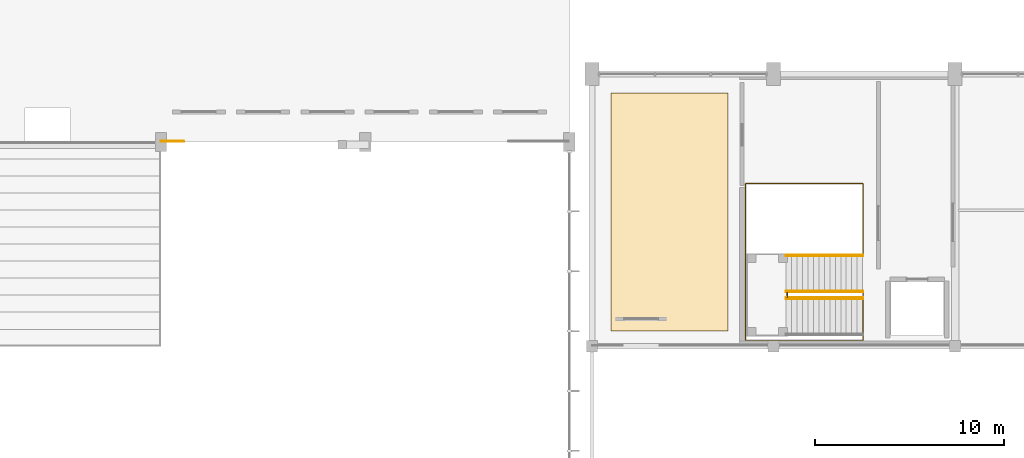
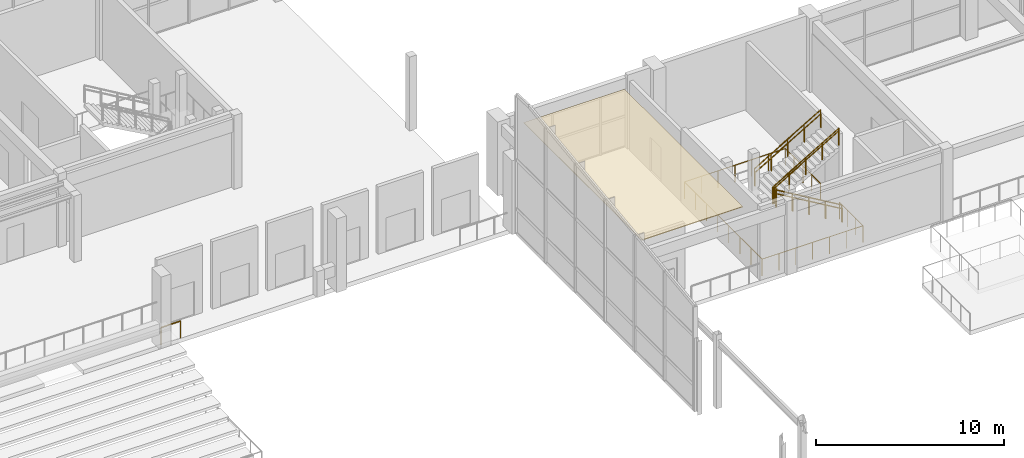
# One storey, part 72 of 74: 9 railings, 1 covering.
"""IFC4 building model written with IfcOpenShell, lengths in metres."""

from ifc_helpers import new_model, si_unit, direction, frame, origin, origin_2d, place, context, subcontext, project, spatial, polyline, circle, outline, extrude, material, layer, layer_set, type_object, element, save


model = new_model("IFC4")

# Units and contexts
model_context = context("Model", 3, precision=1e-05, world=origin(), true_north=direction((0.0, 1.0)))
body_context = subcontext(model_context, "Body", "Model", "MODEL_VIEW")
ifc_project = project(units=[si_unit("LENGTHUNIT", "METRE"), si_unit("AREAUNIT", "SQUARE_METRE"), si_unit("VOLUMEUNIT", "CUBIC_METRE"), si_unit("PLANEANGLEUNIT", "RADIAN"), si_unit("MASSUNIT", "GRAM", prefix="KILO")], contexts=[model_context])

# Site, building, storey
site_placement = place(None, origin())
site = spatial("IfcSite", under=ifc_project, at=site_placement, CompositionType="ELEMENT")
building_placement = place(site_placement, origin())
building = spatial("IfcBuilding", under=site, at=building_placement, Name="Suirenkawa Promenade Aquatics Centre", CompositionType="ELEMENT")
storey_placement = place(building_placement, frame((0.0, 0.0, 4.800048828125)))
storey = spatial("IfcBuildingStorey", under=building, at=storey_placement, Name="L01", CompositionType="ELEMENT", Elevation=4.800048828125)

# Covering
ifc_material_1 = material(Name="Anodised aluminium 6063-T6", Category="aluminium")
ifc_layer = layer(ifc_material_1, 0.044921875, Name="Anodised aluminium 6063-T6", Category="aluminium")
ifc_layer_set = layer_set([ifc_layer], Name="Anodised aluminium 6063-T6")
covering_type = type_object("IfcCoveringType", Name="CVT-BAFFLE-CEIL", PredefinedType="CEILING", material=ifc_layer_set)
covering_placement = place(storey_placement, frame((0.0, 0.0, 4.5048828125)))
element("IfcCovering", 1, at=covering_placement, inside=storey, type_object=covering_type, Name="Acoustic baffle ceiling CLG-01 CLG-005", PredefinedType="CEILING", context=body_context, shape_type="SweptSolid", body=[
    extrude(outline(polyline([(157.0, 87.199951171875), (163.199951171875, 87.199951171875), (163.199951171875, 99.800048828125), (157.0, 99.800048828125), (157.0, 87.199951171875)])), origin(), (0.0, 0.0, 1.0), 0.045166015625),
])

# Railings
ifc_material_2 = material(Name="Marine-grade stainless steel Grade 316L", Category="steel")
railing_type_1 = type_object("IfcRailingType", Name="RLT-BALUSTRADE-1120", PredefinedType="BALUSTRADE", material=ifc_material_2)
railing_1_placement = place(storey_placement, frame((133.199951171875, 97.239990234375, 0.0)))
element("IfcRailing", 2, at=railing_1_placement, inside=storey, type_object=railing_type_1, Name="Balustrade BAL-01 RL-0398", PredefinedType="BALUSTRADE", context=body_context, shape_type="SweptSolid", body=[
    extrude(circle(Radius=0.02392578125, at=origin_2d()), frame((0.0, 0.0, 1.09619140625), z_axis=(1.0, 0.0, 0.0), x_axis=(0.0, 1.0, 0.0)), (0.0, 0.0, 1.0), 1.199951171875),
    extrude(circle(Radius=0.02099609375, at=origin_2d()), origin(), (0.0, 0.0, 1.0), 1.072021484375),
    extrude(circle(Radius=0.02099609375, at=origin_2d()), frame((1.199951171875, 0.0, 0.0)), (0.0, 0.0, 1.0), 1.072021484375),
])
railing_type_2 = type_object("IfcRailingType", Name="RLT-GUARD-1120", PredefinedType="GUARDRAIL", material=ifc_material_2)
railing_2_placement = place(storey_placement, frame((170.31494140625, 88.9599609375, 0.0)))
element("IfcRailing", 3, at=railing_2_placement, inside=storey, type_object=railing_type_2, Name="Guardrail GRD-01 RL-0161", PredefinedType="GUARDRAIL", context=body_context, shape_type="SweptSolid", body=[
    extrude(circle(Radius=0.02392578125, at=origin_2d()), frame((0.0, 0.0, 1.09619140625), z_axis=(-0.8608543813, 0.0, 0.508851387142), x_axis=(0.0, -1.0, 0.0)), (0.0, 0.0, 1.0), 4.71630859375),
    extrude(circle(Radius=0.02099609375, at=origin_2d()), origin(), (0.0, 0.0, 1.0), 1.072021484375),
    extrude(circle(Radius=0.02099609375, at=origin_2d()), frame((-1.01513671875, 0.0, 0.60009765625)), (0.0, 0.0, 1.0), 1.072021484375),
    extrude(circle(Radius=0.02099609375, at=origin_2d()), frame((-2.030029296875, 0.0, 1.199951171875)), (0.0, 0.0, 1.0), 1.072021484375),
    extrude(circle(Radius=0.02099609375, at=origin_2d()), frame((-3.044921875, 0.0, 1.7998046875)), (0.0, 0.0, 1.0), 1.072021484375),
    extrude(circle(Radius=0.02099609375, at=origin_2d()), frame((-4.06005859375, 0.0, 2.39990234375)), (0.0, 0.0, 1.0), 1.072021484375),
])
for number, where, name in (
    (4, (166.2548828125, 89.27001953125, 2.39990234375), "Guardrail GRD-01 RL-0165"),
    (5, (166.2548828125, 91.22998046875, 2.39990234375), "Guardrail GRD-01 RL-0167"),
):
    element("IfcRailing", number, at=place(storey_placement, frame(where)), inside=storey, type_object=railing_type_2, Name=name, PredefinedType="GUARDRAIL", context=body_context, shape_type="SweptSolid", body=[
        extrude(circle(Radius=0.02392578125, at=origin_2d()), frame((0.0, 0.0, 1.09619140625), z_axis=(0.860831705478, 0.0, 0.508889747237), x_axis=(0.0, 1.0, 0.0)), (0.0, 0.0, 1.0), 4.716552734375),
        extrude(circle(Radius=0.02099609375, at=origin_2d()), origin(), (0.0, 0.0, 1.0), 1.072021484375),
        extrude(circle(Radius=0.02099609375, at=origin_2d()), frame((1.01513671875, 0.0, 0.60009765625)), (0.0, 0.0, 1.0), 1.072021484375),
        extrude(circle(Radius=0.02099609375, at=origin_2d()), frame((2.030029296875, 0.0, 1.2001953125)), (0.0, 0.0, 1.0), 1.072021484375),
        extrude(circle(Radius=0.02099609375, at=origin_2d()), frame((3.044921875, 0.0, 1.800048828125)), (0.0, 0.0, 1.0), 1.072021484375),
        extrude(circle(Radius=0.02099609375, at=origin_2d()), frame((4.06005859375, 0.0, 2.400146484375)), (0.0, 0.0, 1.0), 1.072021484375),
    ])
railing_3_placement = place(storey_placement, frame((166.320068359375, 88.989990234375, 2.39990234375)))
element("IfcRailing", 6, at=railing_3_placement, inside=storey, type_object=railing_type_2, Name="Guardrail GRD-01 RL-0170", PredefinedType="GUARDRAIL", context=body_context, shape_type="SweptSolid", body=[
    extrude(circle(Radius=0.02392578125, at=origin_2d()), frame((0.0, 0.0, 1.09619140625), z_axis=(0.0, 1.0, 0.0), x_axis=(-1.0, 0.0, 0.0)), (0.0, 0.0, 1.0), 0.25),
    extrude(circle(Radius=0.02099609375, at=origin_2d()), origin(), (0.0, 0.0, 1.0), 1.072021484375),
    extrude(circle(Radius=0.02099609375, at=origin_2d()), frame((0.0, 0.25, 0.0)), (0.0, 0.0, 1.0), 1.072021484375),
])
railing_4_placement = place(storey_placement, frame((170.330078125, 91.260009765625, 0.0)))
element("IfcRailing", 7, at=railing_4_placement, inside=storey, type_object=railing_type_2, Name="Guardrail GRD-01 RL-0417", PredefinedType="GUARDRAIL", context=body_context, shape_type="SweptSolid", body=[
    extrude(circle(Radius=0.02392578125, at=origin_2d()), frame((0.0, 0.0, 1.09619140625), z_axis=(0.0, 1.0, 0.0), x_axis=(-1.0, 0.0, 0.0)), (0.0, 0.0, 1.0), 3.739990234375),
    extrude(circle(Radius=0.02392578125, at=origin_2d()), frame((0.0, 3.739990234375, 1.09619140625), z_axis=(-1.0, 0.0, 0.0), x_axis=(0.0, -1.0, 0.0)), (0.0, 0.0, 1.0), 6.2099609375),
    extrude(circle(Radius=0.02392578125, at=origin_2d()), frame((-6.2099609375, 3.739990234375, 1.09619140625), z_axis=(0.0, -1.0, 0.0), x_axis=(1.0, 0.0, 0.0)), (0.0, 0.0, 1.0), 8.280029296875),
    extrude(circle(Radius=0.02392578125, at=origin_2d()), frame((-6.2099609375, -4.5400390625, 1.09619140625), z_axis=(1.0, 0.0, 0.0), x_axis=(0.0, 1.0, 0.0)), (0.0, 0.0, 1.0), 6.2099609375),
    extrude(circle(Radius=0.02392578125, at=origin_2d()), frame((0.0, -4.5400390625, 1.09619140625), z_axis=(0.0, 1.0, 0.0), x_axis=(-1.0, 0.0, 0.0)), (0.0, 0.0, 1.0), 2.52001953125),
    extrude(circle(Radius=0.02099609375, at=origin_2d()), origin(), (0.0, 0.0, 1.0), 1.072021484375),
    extrude(circle(Radius=0.02099609375, at=origin_2d()), frame((0.0, 0.93505859375, 0.0)), (0.0, 0.0, 1.0), 1.072021484375),
    extrude(circle(Radius=0.02099609375, at=origin_2d()), frame((0.0, 1.8701171875, 0.0)), (0.0, 0.0, 1.0), 1.072021484375),
    extrude(circle(Radius=0.02099609375, at=origin_2d()), frame((0.0, 2.804931640625, 0.0)), (0.0, 0.0, 1.0), 1.072021484375),
    extrude(circle(Radius=0.02099609375, at=origin_2d()), frame((0.0, 3.739990234375, 0.0)), (0.0, 0.0, 1.0), 1.072021484375),
    extrude(circle(Radius=0.02099609375, at=origin_2d()), frame((-1.034912109375, 3.739990234375, 0.0)), (0.0, 0.0, 1.0), 1.072021484375),
    extrude(circle(Radius=0.02099609375, at=origin_2d()), frame((-2.070068359375, 3.739990234375, 0.0)), (0.0, 0.0, 1.0), 1.072021484375),
    extrude(circle(Radius=0.02099609375, at=origin_2d()), frame((-3.10498046875, 3.739990234375, 0.0)), (0.0, 0.0, 1.0), 1.072021484375),
    extrude(circle(Radius=0.02099609375, at=origin_2d()), frame((-4.139892578125, 3.739990234375, 0.0)), (0.0, 0.0, 1.0), 1.072021484375),
    extrude(circle(Radius=0.02099609375, at=origin_2d()), frame((-5.175048828125, 3.739990234375, 0.0)), (0.0, 0.0, 1.0), 1.072021484375),
    extrude(circle(Radius=0.02099609375, at=origin_2d()), frame((-6.2099609375, 3.739990234375, 0.0)), (0.0, 0.0, 1.0), 1.072021484375),
    extrude(circle(Radius=0.02099609375, at=origin_2d()), frame((-6.2099609375, 2.55712890625, 0.0)), (0.0, 0.0, 1.0), 1.072021484375),
    extrude(circle(Radius=0.02099609375, at=origin_2d()), frame((-6.2099609375, 1.374267578125, 0.0)), (0.0, 0.0, 1.0), 1.072021484375),
    extrude(circle(Radius=0.02099609375, at=origin_2d()), frame((-6.2099609375, 0.19140625, 0.0)), (0.0, 0.0, 1.0), 1.072021484375),
    extrude(circle(Radius=0.02099609375, at=origin_2d()), frame((-6.2099609375, -0.991455078125, 0.0)), (0.0, 0.0, 1.0), 1.072021484375),
    extrude(circle(Radius=0.02099609375, at=origin_2d()), frame((-6.2099609375, -2.17431640625, 0.0)), (0.0, 0.0, 1.0), 1.072021484375),
    extrude(circle(Radius=0.02099609375, at=origin_2d()), frame((-6.2099609375, -3.357177734375, 0.0)), (0.0, 0.0, 1.0), 1.072021484375),
    extrude(circle(Radius=0.02099609375, at=origin_2d()), frame((-6.2099609375, -4.5400390625, 0.0)), (0.0, 0.0, 1.0), 1.072021484375),
    extrude(circle(Radius=0.02099609375, at=origin_2d()), frame((-5.175048828125, -4.5400390625, 0.0)), (0.0, 0.0, 1.0), 1.072021484375),
    extrude(circle(Radius=0.02099609375, at=origin_2d()), frame((-4.139892578125, -4.5400390625, 0.0)), (0.0, 0.0, 1.0), 1.072021484375),
    extrude(circle(Radius=0.02099609375, at=origin_2d()), frame((-3.10498046875, -4.5400390625, 0.0)), (0.0, 0.0, 1.0), 1.072021484375),
    extrude(circle(Radius=0.02099609375, at=origin_2d()), frame((-2.070068359375, -4.5400390625, 0.0)), (0.0, 0.0, 1.0), 1.072021484375),
    extrude(circle(Radius=0.02099609375, at=origin_2d()), frame((-1.034912109375, -4.5400390625, 0.0)), (0.0, 0.0, 1.0), 1.072021484375),
    extrude(circle(Radius=0.02099609375, at=origin_2d()), frame((0.0, -4.5400390625, 0.0)), (0.0, 0.0, 1.0), 1.072021484375),
    extrude(circle(Radius=0.02099609375, at=origin_2d()), frame((0.0, -3.699951171875, 0.0)), (0.0, 0.0, 1.0), 1.072021484375),
    extrude(circle(Radius=0.02099609375, at=origin_2d()), frame((0.0, -2.860107421875, 0.0)), (0.0, 0.0, 1.0), 1.072021484375),
    extrude(circle(Radius=0.02099609375, at=origin_2d()), frame((0.0, -2.02001953125, 0.0)), (0.0, 0.0, 1.0), 1.072021484375),
])
railing_type_3 = type_object("IfcRailingType", Name="RLT-HANDRAIL-900", PredefinedType="HANDRAIL", material=ifc_material_2)
railing_5_placement = place(storey_placement, frame((170.31494140625, 88.909912109375, 0.0)))
element("IfcRailing", 8, at=railing_5_placement, inside=storey, type_object=railing_type_3, Name="Handrail HRL-01 RL-0162", PredefinedType="HANDRAIL", context=body_context, shape_type="SweptSolid", body=[
    extrude(circle(Radius=0.02392578125, at=origin_2d()), frame((0.0, 0.0, 0.8759765625), z_axis=(-0.8608543813, 0.0, 0.508851387142), x_axis=(0.0, -1.0, 0.0)), (0.0, 0.0, 1.0), 4.71630859375),
    extrude(circle(Radius=0.02099609375, at=origin_2d()), origin(), (0.0, 0.0, 1.0), 0.851806640625),
    extrude(circle(Radius=0.02099609375, at=origin_2d()), frame((-1.01513671875, 0.0, 0.60009765625)), (0.0, 0.0, 1.0), 0.851806640625),
    extrude(circle(Radius=0.02099609375, at=origin_2d()), frame((-2.030029296875, 0.0, 1.199951171875)), (0.0, 0.0, 1.0), 0.851806640625),
    extrude(circle(Radius=0.02099609375, at=origin_2d()), frame((-3.044921875, 0.0, 1.7998046875)), (0.0, 0.0, 1.0), 0.851806640625),
    extrude(circle(Radius=0.02099609375, at=origin_2d()), frame((-4.06005859375, 0.0, 2.39990234375)), (0.0, 0.0, 1.0), 0.851806640625),
])
for number, where, name in (
    (9, (166.2548828125, 89.320068359375, 2.39990234375), "Handrail HRL-01 RL-0166"),
    (10, (166.2548828125, 91.179931640625, 2.39990234375), "Handrail HRL-01 RL-0168"),
):
    element("IfcRailing", number, at=place(storey_placement, frame(where)), inside=storey, type_object=railing_type_3, Name=name, PredefinedType="HANDRAIL", context=body_context, shape_type="SweptSolid", body=[
        extrude(circle(Radius=0.02392578125, at=origin_2d()), frame((0.0, 0.0, 0.8759765625), z_axis=(0.860831705478, 0.0, 0.508889747237), x_axis=(0.0, 1.0, 0.0)), (0.0, 0.0, 1.0), 4.716552734375),
        extrude(circle(Radius=0.02099609375, at=origin_2d()), origin(), (0.0, 0.0, 1.0), 0.851806640625),
        extrude(circle(Radius=0.02099609375, at=origin_2d()), frame((1.01513671875, 0.0, 0.60009765625)), (0.0, 0.0, 1.0), 0.851806640625),
        extrude(circle(Radius=0.02099609375, at=origin_2d()), frame((2.030029296875, 0.0, 1.2001953125)), (0.0, 0.0, 1.0), 0.851806640625),
        extrude(circle(Radius=0.02099609375, at=origin_2d()), frame((3.044921875, 0.0, 1.800048828125)), (0.0, 0.0, 1.0), 0.851806640625),
        extrude(circle(Radius=0.02099609375, at=origin_2d()), frame((4.06005859375, 0.0, 2.400146484375)), (0.0, 0.0, 1.0), 0.851806640625),
    ])

save(model, "model.ifc")
